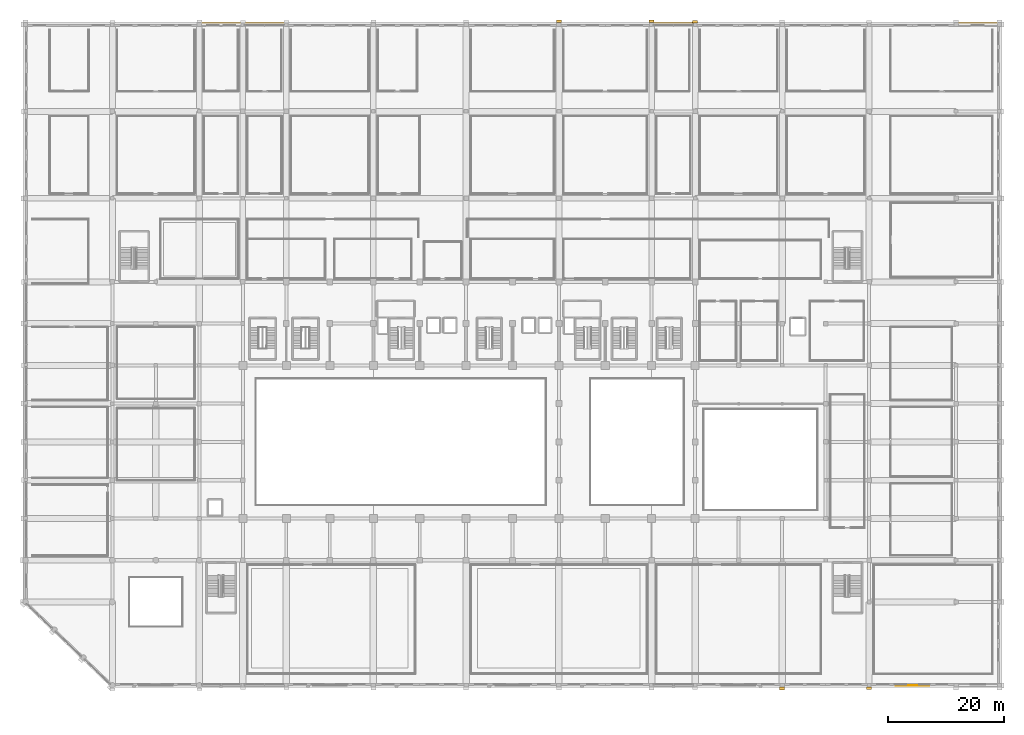
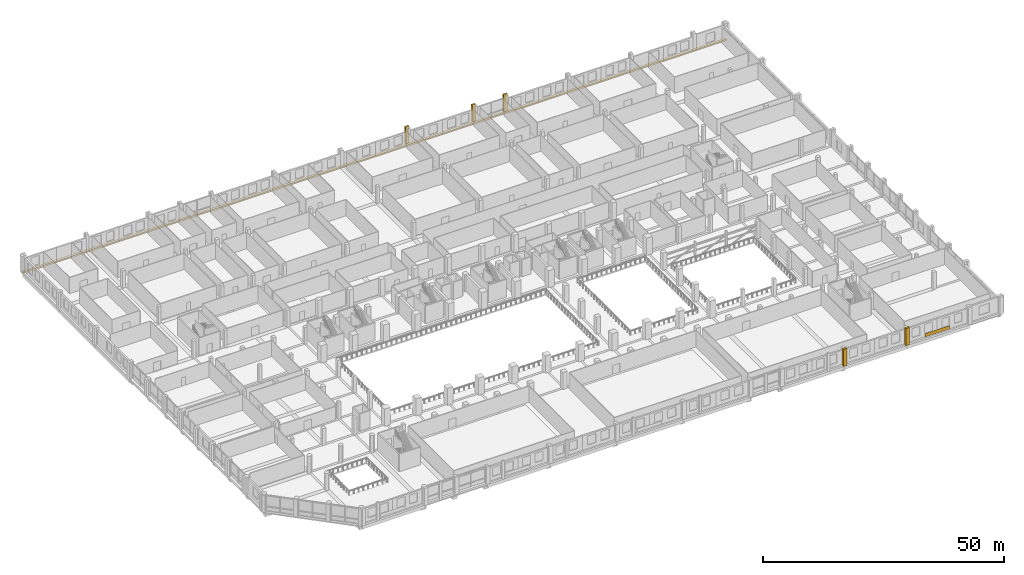
# One storey, part 61 of 64: 7 coverings.
"""IFC4 building model written with IfcOpenShell, lengths in metres."""

from ifc_helpers import new_model, si_unit, direction, frame, origin, origin_2d, place, context, subcontext, project, spatial, rectangle, extrude, material, layer, layer_set, type_object, element, save


model = new_model("IFC4")

# Units and contexts
model_context = context("Model", 3, precision=1e-05, world=origin(), true_north=direction((0.0, 1.0)))
body_context = subcontext(model_context, "Body", "Model", "MODEL_VIEW")
ifc_project = project(units=[si_unit("LENGTHUNIT", "METRE"), si_unit("AREAUNIT", "SQUARE_METRE"), si_unit("VOLUMEUNIT", "CUBIC_METRE"), si_unit("PLANEANGLEUNIT", "RADIAN"), si_unit("MASSUNIT", "GRAM", prefix="KILO")], contexts=[model_context])

# Site, building, storey
site_placement = place(None, origin())
site = spatial("IfcSite", under=ifc_project, at=site_placement, CompositionType="ELEMENT")
building_placement = place(site_placement, origin())
building = spatial("IfcBuilding", under=site, at=building_placement, Name="Akrevak Sports Hall", CompositionType="ELEMENT")
storey_placement = place(building_placement, frame((0.0, 0.0, 4.60009765625)))
storey = spatial("IfcBuildingStorey", under=building, at=storey_placement, Name="L01", CompositionType="ELEMENT", Elevation=4.60009765625)

# Coverings
ifc_material_1 = material(Name="Travertine", Category="stone")
ifc_layer_1 = layer(ifc_material_1, 0.080078125, Name="Travertine")
ifc_layer_set_1 = layer_set([ifc_layer_1], Name="Travertine")
covering_type_1 = type_object("IfcCoveringType", Name="ARC-COV-CLAD-TRV", PredefinedType="CLADDING", material=ifc_layer_set_1)
covering_1_placement = place(storey_placement, frame((153.0, 0.02001953125, 0.02490234375), z_axis=(0.0, 0.0, 1.0), x_axis=(1.0, 0.0, 0.0)))
element("IfcCovering", 1, at=covering_1_placement, inside=storey, type_object=covering_type_1, Name="Rusticated Travertine Plinth Band S05", PredefinedType="CLADDING", context=body_context, shape_type="SweptSolid", body=[
    extrude(rectangle(XDim=5.800048828125, YDim=0.080078125, at=origin_2d()), origin(), (0.0, 0.0, 1.0), 0.85009765625),
])
ifc_material_2 = material(Name="Limestone Ashlar", Category="stone")
ifc_layer_2 = layer(ifc_material_2, 0.6201171875, Name="Limestone Ashlar")
ifc_layer_set_2 = layer_set([ifc_layer_2], Name="Limestone Ashlar")
covering_type_2 = type_object("IfcCoveringType", Name="ARC-COV-CRN-LIM", PredefinedType="MOLDING", material=ifc_layer_set_2)
covering_2_placement = place(storey_placement, frame((84.0, 114.110107421875, -0.330078125), z_axis=(0.0, 0.0, 1.0), x_axis=(-1.0, 0.0, 0.0)))
element("IfcCovering", 2, at=covering_2_placement, inside=storey, type_object=covering_type_2, Name="Street Arcade Limestone Entablature L01-ARC-03", PredefinedType="MOLDING", context=body_context, shape_type="SweptSolid", body=[
    extrude(rectangle(XDim=168.531982421875, YDim=0.5400390625, at=origin_2d()), origin(), (0.0, 0.0, 1.0), 0.419921875),
])
ifc_layer_3 = layer(ifc_material_2, 0.47998046875, Name="Limestone Ashlar")
ifc_layer_set_3 = layer_set([ifc_layer_3], Name="Limestone Ashlar")
covering_type_3 = type_object("IfcCoveringType", Name="ARC-COV-PIL-LIM", PredefinedType="CLADDING", material=ifc_layer_set_3)
for number, where, z_axis, x_axis, name in (
    (3, (130.5, -0.52490234375, -0.000244140625), (0.0, 0.0, 1.0), (1.0, 0.0, 0.0), "Giant-Order Limestone Pilaster L01-01-10"),
    (4, (145.5, -0.47509765625, -0.000244140625), (0.0, 0.0, 1.0), (1.0, 0.0, 0.0), "Giant-Order Limestone Pilaster L01-01-11"),
    (5, (92.0, 114.52490234375, -0.000244140625), (0.0, 0.0, 1.0), (-1.0, 0.0, 0.0), "Giant-Order Limestone Pilaster L01-03-33"),
    (6, (108.0, 114.52490234375, -0.000244140625), (0.0, 0.0, 1.0), (-1.0, 0.0, 0.0), "Giant-Order Limestone Pilaster L01-03-34"),
    (7, (115.5, 114.47509765625, -0.000244140625), (0.0, 0.0, 1.0), (-1.0, 0.0, 0.0), "Giant-Order Limestone Pilaster L01-03-35"),
):
    element("IfcCovering", number, at=place(storey_placement, frame(where, z_axis=z_axis, x_axis=x_axis)), inside=storey, type_object=covering_type_3, Name=name, PredefinedType="CLADDING", context=body_context, shape_type="SweptSolid", body=[
        extrude(rectangle(XDim=0.8798828125, YDim=0.4599609375, at=origin_2d()), origin(), (0.0, 0.0, 1.0), 4.35009765625),
    ])

save(model, "model.ifc")
